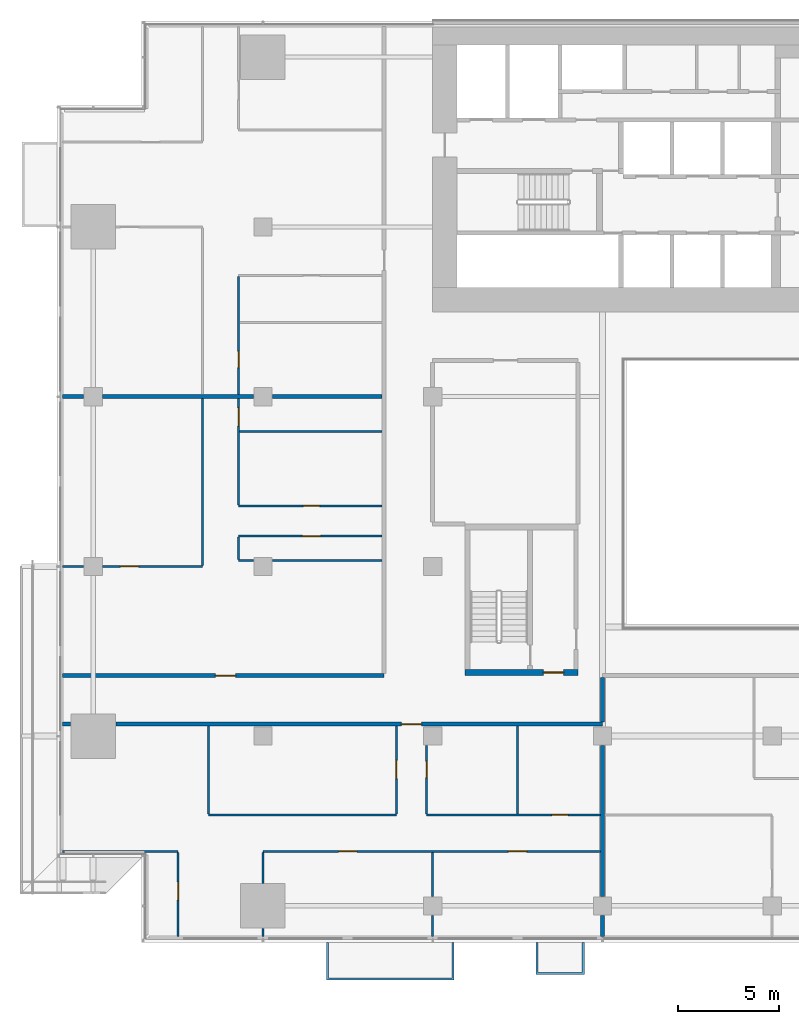
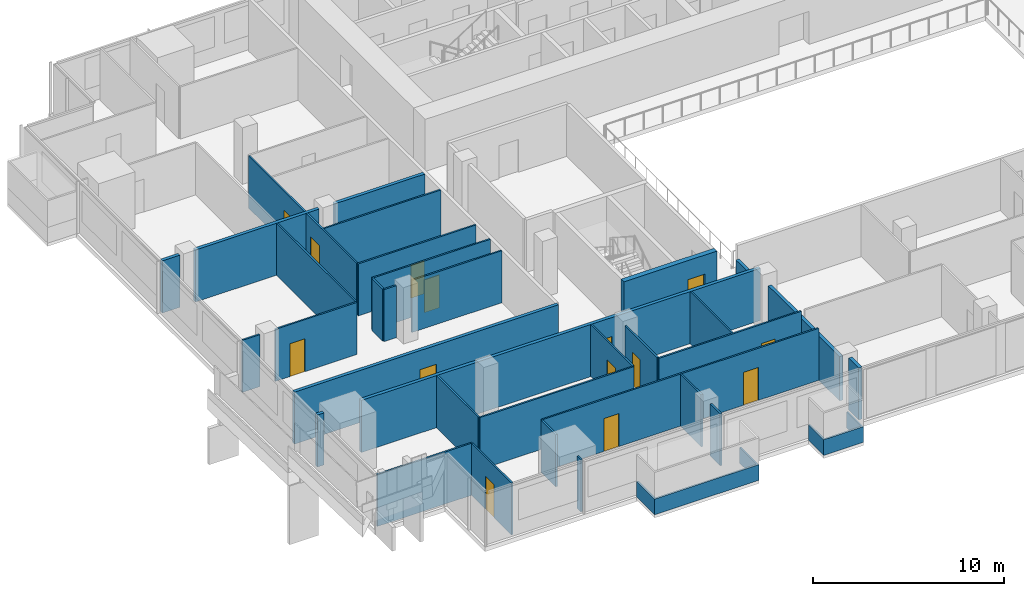
# One storey, part 18 of 29: 36 walls, 14 doors, 14 openings.
"""IFC4 building model written with IfcOpenShell, lengths in metres."""

import ifcopenshell
import ifcopenshell.guid

model = None  # the IFC model being written
_history = None  # IfcOwnerHistory: only IFC2X3 demands one
_inside = {}  # id of a spatial element -> (the spatial element, [elements in it])
_under = {}  # id of a project, library or spatial element -> (it, [spatial elements below it])
_declared = {}  # id of a project -> (the project, [libraries it declares])
_typed = {}  # id of a type object -> (the type object, [elements of that type])
_made_of = {}  # id of a material, layer set ... -> (it, [elements and type objects made of it])


def new_model(schema):
    """Start an empty IFC model of exactly this schema.

    Asked for "IFC4X3", IfcOpenShell would pick the latest addendum, in which some entities
    have other attributes; the version numbers below select the first issue.
    IFC2X3 requires an IfcOwnerHistory on every rooted entity: one is made here for all.
    """
    global model, _history
    if schema == "IFC4X3":
        model = ifcopenshell.file(schema_version=(4, 3, 0, 0))
    else:
        model = ifcopenshell.file(schema=schema)
    _inside.clear()
    _under.clear()
    _declared.clear()
    _typed.clear()
    _made_of.clear()
    _history = None
    if model.schema == "IFC2X3":
        org = make("IfcOrganization", Name="unknown")
        user = make(
            "IfcPersonAndOrganization",
            ThePerson=make("IfcPerson", FamilyName="unknown"),
            TheOrganization=org,
        )
        app = make(
            "IfcApplication",
            ApplicationDeveloper=org,
            Version="unknown",
            ApplicationFullName="unknown",
            ApplicationIdentifier="unknown",
        )
        _history = make(
            "IfcOwnerHistory",
            OwningUser=user,
            OwningApplication=app,
            ChangeAction="ADDED",
            CreationDate=0,
        )
    return model


def make(cls, **values):
    """One entity of the class cls with the attributes given. An attribute that is None is left unset."""
    return model.create_entity(
        cls, **{name: value for name, value in values.items() if value is not None}
    )


def rooted(cls, **values):
    """An entity with a GlobalId (a new one), such as an element, a storey or a relation."""
    return make(cls, GlobalId=ifcopenshell.guid.new(), OwnerHistory=_history, **values)


def si_unit(unit_type, name, prefix=None):
    """IfcSIUnit, for example si_unit("LENGTHUNIT", "METRE", prefix="MILLI")."""
    return make("IfcSIUnit", UnitType=unit_type, Prefix=prefix, Name=name)


def assignment(units):
    """IfcUnitAssignment: the units of a project."""
    return None if units is None else make("IfcUnitAssignment", Units=units)


def point(xyz):
    """IfcCartesianPoint."""
    return None if xyz is None else make("IfcCartesianPoint", Coordinates=xyz)


def direction(xyz):
    """IfcDirection."""
    return None if xyz is None else make("IfcDirection", DirectionRatios=xyz)


def frame(location, z_axis=None, x_axis=None):
    """IfcAxis2Placement3D, a coordinate frame: its origin and axes. An axis left out is left unset."""
    return make(
        "IfcAxis2Placement3D",
        Location=point(location),
        Axis=direction(z_axis),
        RefDirection=direction(x_axis),
    )


def frame_2d(location, x_axis=None):
    """IfcAxis2Placement2D, a coordinate frame in the plane: its origin and x axis."""
    return make(
        "IfcAxis2Placement2D", Location=point(location), RefDirection=direction(x_axis)
    )


def origin():
    """The frame at (0, 0, 0) with its axes left unset."""
    return frame((0.0, 0.0, 0.0))


def place(relative_to, where):
    """IfcLocalPlacement: puts the frame where relative to a parent placement (None: the world)."""
    return make(
        "IfcLocalPlacement", PlacementRelTo=relative_to, RelativePlacement=where
    )


def context(
    kind, dimensions, precision=None, world=None, true_north=None, identifier=None
):
    """IfcGeometricRepresentationContext, for example the 3D "Model" context."""
    return make(
        "IfcGeometricRepresentationContext",
        ContextIdentifier=identifier,
        ContextType=kind,
        CoordinateSpaceDimension=dimensions,
        Precision=precision,
        WorldCoordinateSystem=world,
        TrueNorth=true_north,
    )


def subcontext(parent, identifier, kind, view, scale=None):
    """IfcGeometricRepresentationSubContext, for example "Body" below "Model"."""
    return make(
        "IfcGeometricRepresentationSubContext",
        ContextIdentifier=identifier,
        ContextType=kind,
        ParentContext=parent,
        TargetScale=scale,
        TargetView=view,
    )


def project(units=None, contexts=None):
    """IfcProject with its units and contexts."""
    return rooted(
        "IfcProject",
        Name="project",
        RepresentationContexts=contexts,
        UnitsInContext=assignment(units),
    )


def spatial(cls, under=None, at=None, **own):
    """A site, building, storey or space (cls), placed at a placement, below another one or the project."""
    s = rooted(cls, ObjectPlacement=at, **own)
    if under is not None:
        _under.setdefault(under.id(), (under, []))[1].append(s)
    return s


def polyline(points):
    """IfcPolyline through the points."""
    return make("IfcPolyline", Points=[point(p) for p in points])


def profile(cls, at=None, kind="AREA", **sizes):
    """A parametric profile (cls). Its sizes go by their IFC names, for example OverallWidth=200.0."""
    return make(cls, ProfileType=kind, Position=at, **sizes)


def rectangle(**sizes):
    """IfcRectangleProfileDef."""
    return profile("IfcRectangleProfileDef", **sizes)


def outline(outer, holes=None, kind="AREA"):
    """IfcArbitraryClosedProfileDef: a profile drawn as a closed curve; with holes, ...WithVoids."""
    if holes is None:
        return make("IfcArbitraryClosedProfileDef", ProfileType=kind, OuterCurve=outer)
    return make(
        "IfcArbitraryProfileDefWithVoids",
        ProfileType=kind,
        OuterCurve=outer,
        InnerCurves=holes,
    )


def extrude(swept, where, along, depth):
    """IfcExtrudedAreaSolid: the profile swept, set in the frame where, extruded along a direction by depth."""
    return make(
        "IfcExtrudedAreaSolid",
        SweptArea=swept,
        Position=where,
        ExtrudedDirection=direction(along),
        Depth=depth,
    )


def shape(context_of_items, identifier, shape_type, items):
    """IfcShapeRepresentation: the items that make up one representation, for example the "Body"."""
    return make(
        "IfcShapeRepresentation",
        ContextOfItems=context_of_items,
        RepresentationIdentifier=identifier,
        RepresentationType=shape_type,
        Items=items,
    )


def material(Name=None, Category=None):
    """IfcMaterial."""
    return make("IfcMaterial", Name=Name, Category=Category)


def layer(
    of_material, thickness, ventilated=None, Name=None, Category=None, Priority=None
):
    """IfcMaterialLayer: one layer of a wall or slab, of a material (None: an air gap)."""
    return make(
        "IfcMaterialLayer",
        Material=of_material,
        LayerThickness=thickness,
        IsVentilated=ventilated,
        Name=Name,
        Category=Category,
        Priority=Priority,
    )


def layer_set(layers, Name=None):
    """IfcMaterialLayerSet."""
    return make("IfcMaterialLayerSet", MaterialLayers=layers, LayerSetName=Name)


def made_of(thing, what):
    """Note that an element or type object is made of a material, layer set ...; save() writes the relation."""
    if what is not None:
        _made_of.setdefault(what.id(), (what, []))[1].append(thing)
    return thing


def type_object(cls, material=None, **own):
    """A type object (cls), such as IfcWallType, which elements share."""
    return made_of(rooted(cls, **own), material)


def element(
    cls,
    number,
    at=None,
    inside=None,
    cuts=None,
    type_object=None,
    material=None,
    context=None,
    identifier="Body",
    shape_type=None,
    held_by="IfcProductDefinitionShape",
    body=None,
    shapes=None,
    **own,
):
    """One element of the class cls, such as IfcWall. Its Tag is "e" and its number.

    at: its placement. inside: the storey or other place that contains it. cuts: it is an
    opening in that element (IfcRelVoidsElement). A single representation is given by context,
    identifier, shape_type and body (its items); several are given by shapes. held_by: the class
    of the entity that holds the representations. save() writes the other relations.
    """
    e = rooted(cls, Tag="e%d" % number, ObjectPlacement=at, **own)
    if body is not None:
        shapes = [shape(context, identifier, shape_type, body)]
    if shapes is not None:
        e.Representation = make(held_by, Representations=shapes)
    if inside is not None:
        _inside.setdefault(inside.id(), (inside, []))[1].append(e)
    if cuts is not None:
        rooted(
            "IfcRelVoidsElement", RelatingBuildingElement=cuts, RelatedOpeningElement=e
        )
    if type_object is not None:
        _typed.setdefault(type_object.id(), (type_object, []))[1].append(e)
    return made_of(e, material)


def fill(opening, filler):
    """IfcRelFillsElement: the door or window that sits in an opening."""
    return rooted(
        "IfcRelFillsElement",
        RelatingOpeningElement=opening,
        RelatedBuildingElement=filler,
    )


def aggregate(whole, parts):
    """IfcRelAggregates: a whole, such as a stair, and the parts it consists of."""
    return rooted("IfcRelAggregates", RelatingObject=whole, RelatedObjects=parts)


def save(model, path):
    """Write the relations noted so far, then the file.

    IfcRelAggregates (storeys below a building ...), IfcRelContainedInSpatialStructure (elements
    in a storey), IfcRelDefinesByType, IfcRelAssociatesMaterial and IfcRelDeclares: one each for
    every whole, place, type object, material and project.
    """
    for whole, parts in _under.values():
        aggregate(whole, parts)
    for where, things in _inside.values():
        rooted(
            "IfcRelContainedInSpatialStructure",
            RelatedElements=things,
            RelatingStructure=where,
        )
    for kind, things in _typed.values():
        rooted("IfcRelDefinesByType", RelatedObjects=things, RelatingType=kind)
    for what, things in _made_of.values():
        rooted("IfcRelAssociatesMaterial", RelatedObjects=things, RelatingMaterial=what)
    for by, libraries in _declared.values():
        rooted("IfcRelDeclares", RelatingContext=by, RelatedDefinitions=libraries)
    model.write(path)


model = new_model("IFC4")

# Units and contexts
model_context = context("Model", 3, precision=1e-05, world=origin(), true_north=direction((0.0, 1.0)))
body_context = subcontext(model_context, "Body", "Model", "MODEL_VIEW")
ifc_project = project(units=[si_unit("LENGTHUNIT", "METRE"), si_unit("AREAUNIT", "SQUARE_METRE"), si_unit("VOLUMEUNIT", "CUBIC_METRE"), si_unit("PLANEANGLEUNIT", "RADIAN"), si_unit("MASSUNIT", "GRAM", prefix="KILO")], contexts=[model_context])

# Site, building, storey
site_placement = place(None, origin())
site = spatial("IfcSite", under=ifc_project, at=site_placement, CompositionType="ELEMENT")
building_placement = place(site_placement, origin())
building = spatial("IfcBuilding", under=site, at=building_placement, Name="Saffron Gate Tower", CompositionType="ELEMENT")
storey_placement = place(building_placement, frame((0.0, 0.0, 55.199951171875)))
storey = spatial("IfcBuildingStorey", under=building, at=storey_placement, Name="L12", CompositionType="ELEMENT", Elevation=55.199951171875)

# Wall, opening, door
ifc_material_1 = material(Name="Concrete C70", Category="concrete")
ifc_layer_1 = layer(ifc_material_1, 0.300048828125)
ifc_layer_set_1 = layer_set([ifc_layer_1], Name="CW5 RC core wall 300 C70")
wall_type_1 = type_object("IfcWallType", Name="CW5 RC core wall 300 C70", PredefinedType="SOLIDWALL", material=ifc_layer_set_1)
wall_1_placement = place(storey_placement, frame((68.199951171875, 43.35009765625, 0.0), z_axis=(0.0, 0.0, 1.0), x_axis=(1.0, 0.0, 0.0)))
wall_1 = element("IfcWall", 1, at=wall_1_placement, inside=storey, type_object=wall_type_1, Name="Wall CW5-L12-D-1", PredefinedType="SOLIDWALL", context=body_context, shape_type="SweptSolid", body=[
    extrude(rectangle(XDim=5.60009765625, YDim=0.300048828125, at=frame_2d((2.800048828125, 0.0))), origin(), (0.0, 0.0, 1.0), 3.320068359375),
])
opening_1_placement = place(wall_1_placement, frame((3.875, 0.0, 0.0)))
opening_1 = element("IfcOpeningElement", 2, at=opening_1_placement, cuts=wall_1, Name="Opening CR-18", PredefinedType="OPENING", context=body_context, shape_type="SweptSolid", body=[
    extrude(rectangle(XDim=1.0, YDim=2.10009765625, at=frame_2d((0.5, 1.050048828125))), frame((0.0, 0.16015625, 0.0), z_axis=(0.0, -1.0, 0.0), x_axis=(1.0, 0.0, 0.0)), (0.0, 0.0, 1.0), 0.320068359375),
])
ifc_material_2 = material(Name="Steel fire door set", Category="steel")
door_type_1 = type_object("IfcDoorType", Name="CD4 Lobby door 1000x2100 EI 120", OperationType="NOTDEFINED", PredefinedType="DOOR", material=ifc_material_2)
door_1_placement = place(opening_1_placement, origin())
door_1 = element("IfcDoor", 3, at=door_1_placement, inside=storey, type_object=door_type_1, Name="DOOR CR-18", OperationType="SINGLE_SWING_RIGHT", OverallHeight=2.10009765625, OverallWidth=1.0, PredefinedType="DOOR", context=body_context, shape_type="SweptSolid", body=[
    extrude(rectangle(XDim=1.0, YDim=2.10009765625, at=frame_2d((0.5, 1.050048828125))), frame((0.0, 0.02490234375, 0.0), z_axis=(0.0, -1.0, 0.0), x_axis=(1.0, 0.0, 0.0)), (0.0, 0.0, 1.0), 0.050048828125),
])
fill(opening_1, door_1)

# Wall
ifc_material_3 = material(Name="Plasterboard on steel studs", Category="steel")
ifc_layer_2 = layer(ifc_material_3, 0.10009765625)
ifc_layer_set_2 = layer_set([ifc_layer_2], Name="PW1 Partition 100")
wall_type_2 = type_object("IfcWallType", Name="PW1 Partition 100", PredefinedType="PARTITIONING", material=ifc_layer_set_2)
wall_2_placement = place(storey_placement, frame((48.280029296875, 34.5, 0.0), z_axis=(0.0, 0.0, 1.0), x_axis=(1.0, 0.0, 0.0)))
element("IfcWall", 4, at=wall_2_placement, inside=storey, type_object=wall_type_2, Name="Partition A2-1", PredefinedType="PARTITIONING", context=body_context, shape_type="SweptSolid", body=[
    extrude(rectangle(XDim=5.719970703125, YDim=0.10009765625, at=frame_2d((2.85986328125, 0.0))), origin(), (0.0, 0.0, 1.0), 3.320068359375),
])

# Wall, openings, doors
wall_3_placement = place(storey_placement, frame((74.89990234375, 34.5, 0.0), z_axis=(0.0, 0.0, 1.0), x_axis=(-1.0, 0.0, 0.0)))
wall_3 = element("IfcWall", 5, at=wall_3_placement, inside=storey, type_object=wall_type_2, Name="Partition A2-2", PredefinedType="PARTITIONING", context=body_context, shape_type="SweptSolid", body=[
    extrude(rectangle(XDim=16.699951171875, YDim=0.10009765625, at=frame_2d((8.35009765625, 0.0))), origin(), (0.0, 0.0, 1.0), 3.320068359375),
])
opening_2_placement = place(wall_3_placement, frame((3.64990234375, 0.0, 0.0)))
opening_2 = element("IfcOpeningElement", 6, at=opening_2_placement, cuts=wall_3, Name="Opening A2-10", PredefinedType="OPENING", context=body_context, shape_type="SweptSolid", body=[
    extrude(rectangle(XDim=0.89990234375, YDim=2.10009765625, at=frame_2d((0.449951171875, 1.050048828125))), frame((0.0, 0.06005859375, 0.0), z_axis=(0.0, -1.0, 0.0), x_axis=(1.0, 0.0, 0.0)), (0.0, 0.0, 1.0), 0.1201171875),
])
opening_3_placement = place(wall_3_placement, frame((12.050048828125, 0.0, 0.0)))
opening_3 = element("IfcOpeningElement", 7, at=opening_3_placement, cuts=wall_3, Name="Opening A2-9", PredefinedType="OPENING", context=body_context, shape_type="SweptSolid", body=[
    extrude(rectangle(XDim=0.89990234375, YDim=2.10009765625, at=frame_2d((0.449951171875, 1.050048828125))), frame((0.0, 0.06005859375, 0.0), z_axis=(0.0, -1.0, 0.0), x_axis=(1.0, 0.0, 0.0)), (0.0, 0.0, 1.0), 0.1201171875),
])
ifc_material_4 = material(Name="Timber door set", Category="wood")
door_type_2 = type_object("IfcDoorType", Name="RD1 Room door 900x2100", OperationType="NOTDEFINED", PredefinedType="DOOR", material=ifc_material_4)
door_2_placement = place(opening_2_placement, origin())
door_2 = element("IfcDoor", 8, at=door_2_placement, inside=storey, type_object=door_type_2, Name="Door A2-10", OperationType="SINGLE_SWING_LEFT", OverallHeight=2.10009765625, OverallWidth=0.89990234375, PredefinedType="DOOR", context=body_context, shape_type="SweptSolid", body=[
    extrude(rectangle(XDim=0.89990234375, YDim=2.10009765625, at=frame_2d((0.449951171875, 1.050048828125))), frame((0.0, 0.02490234375, 0.0), z_axis=(0.0, -1.0, 0.0), x_axis=(1.0, 0.0, 0.0)), (0.0, 0.0, 1.0), 0.050048828125),
])
fill(opening_2, door_2)
door_3_placement = place(opening_3_placement, origin())
door_3 = element("IfcDoor", 9, at=door_3_placement, inside=storey, type_object=door_type_2, Name="Door A2-9", OperationType="SINGLE_SWING_RIGHT", OverallHeight=2.10009765625, OverallWidth=0.89990234375, PredefinedType="DOOR", context=body_context, shape_type="SweptSolid", body=[
    extrude(rectangle(XDim=0.89990234375, YDim=2.10009765625, at=frame_2d((0.449951171875, 1.050048828125))), frame((0.0, 0.02490234375, 0.0), z_axis=(0.0, -1.0, 0.0), x_axis=(1.0, 0.0, 0.0)), (0.0, 0.0, 1.0), 0.050048828125),
])
fill(opening_3, door_3)

# Walls
wall_4_placement = place(storey_placement, frame((55.5, 36.300048828125, 0.0), z_axis=(0.0, 0.0, 1.0), x_axis=(1.0, 0.0, 0.0)))
element("IfcWall", 10, at=wall_4_placement, inside=storey, type_object=wall_type_2, Name="Partition A2-5", PredefinedType="PARTITIONING", context=body_context, shape_type="SweptSolid", body=[
    extrude(rectangle(XDim=9.300048828125, YDim=0.10009765625, at=frame_2d((4.64990234375, 0.0))), origin(), (0.0, 0.0, 1.0), 3.320068359375),
])
wall_5_placement = place(storey_placement, frame((48.280029296875, 48.60009765625, 0.0), z_axis=(0.0, 0.0, 1.0), x_axis=(1.0, 0.0, 0.0)))
element("IfcWall", 11, at=wall_5_placement, inside=storey, type_object=wall_type_2, Name="Partition A2-17", PredefinedType="PARTITIONING", context=body_context, shape_type="SweptSolid", body=[
    extrude(rectangle(XDim=1.050048828125, YDim=0.10009765625, at=frame_2d((0.52490234375, 0.0))), origin(), (0.0, 0.0, 1.0), 3.320068359375),
])

# Wall, opening, door
wall_6_placement = place(storey_placement, frame((50.27001953125, 48.60009765625, 0.0), z_axis=(0.0, 0.0, 1.0), x_axis=(1.0, 0.0, 0.0)))
wall_6 = element("IfcWall", 12, at=wall_6_placement, inside=storey, type_object=wall_type_2, Name="Partition A2-18", PredefinedType="PARTITIONING", context=body_context, shape_type="SweptSolid", body=[
    extrude(rectangle(XDim=4.929931640625, YDim=0.10009765625, at=frame_2d((2.46484375, 0.0))), origin(), (0.0, 0.0, 1.0), 3.320068359375),
])
opening_4_placement = place(wall_6_placement, frame((0.8798828125, 0.0, 0.0)))
opening_4 = element("IfcOpeningElement", 13, at=opening_4_placement, cuts=wall_6, Name="Opening A2-21", PredefinedType="OPENING", context=body_context, shape_type="SweptSolid", body=[
    extrude(rectangle(XDim=0.89990234375, YDim=2.10009765625, at=frame_2d((0.449951171875, 1.050048828125))), frame((0.0, 0.06005859375, 0.0), z_axis=(0.0, -1.0, 0.0), x_axis=(1.0, 0.0, 0.0)), (0.0, 0.0, 1.0), 0.1201171875),
])
door_4_placement = place(opening_4_placement, origin())
door_4 = element("IfcDoor", 14, at=door_4_placement, inside=storey, type_object=door_type_2, Name="Door A2-21", OperationType="SINGLE_SWING_LEFT", OverallHeight=2.10009765625, OverallWidth=0.89990234375, PredefinedType="DOOR", context=body_context, shape_type="SweptSolid", body=[
    extrude(rectangle(XDim=0.89990234375, YDim=2.10009765625, at=frame_2d((0.449951171875, 1.050048828125))), frame((0.0, 0.02490234375, 0.0), z_axis=(0.0, -1.0, 0.0), x_axis=(1.0, 0.0, 0.0)), (0.0, 0.0, 1.0), 0.050048828125),
])
fill(opening_4, door_4)

# Walls
wall_7_placement = place(storey_placement, frame((57.0, 48.894287109375, 0.0), z_axis=(0.0, 0.0, 1.0), x_axis=(1.0, 0.0, 0.0)))
element("IfcWall", 15, at=wall_7_placement, inside=storey, type_object=wall_type_2, Name="Partition A2-21", PredefinedType="PARTITIONING", context=body_context, shape_type="SweptSolid", body=[
    extrude(rectangle(XDim=0.72998046875, YDim=0.10009765625, at=frame_2d((0.364990234375, 0.0))), origin(), (0.0, 0.0, 1.0), 3.320068359375),
])
wall_8_placement = place(storey_placement, frame((58.669921875, 48.894287109375, 0.0), z_axis=(0.0, 0.0, 1.0), x_axis=(1.0, 0.0, 0.0)))
element("IfcWall", 16, at=wall_8_placement, inside=storey, type_object=wall_type_2, Name="Partition A2-22", PredefinedType="PARTITIONING", context=body_context, shape_type="SweptSolid", body=[
    extrude(rectangle(XDim=5.43017578125, YDim=0.10009765625, at=frame_2d((2.715087890625, 0.0))), origin(), (0.0, 0.0, 1.0), 3.320068359375),
])

# Wall, opening, door
wall_9_placement = place(storey_placement, frame((64.10009765625, 50.10009765625, 0.0), z_axis=(0.0, 0.0, 1.0), x_axis=(-1.0, 0.0, 0.0)))
wall_9 = element("IfcWall", 17, at=wall_9_placement, inside=storey, type_object=wall_type_2, Name="Partition A2-23", PredefinedType="PARTITIONING", context=body_context, shape_type="SweptSolid", body=[
    extrude(rectangle(XDim=7.10009765625, YDim=0.10009765625, at=frame_2d((3.550048828125, 0.0))), origin(), (0.0, 0.0, 1.0), 3.320068359375),
])
opening_5_placement = place(wall_9_placement, frame((3.050048828125, 0.0, 0.0)))
opening_5 = element("IfcOpeningElement", 18, at=opening_5_placement, cuts=wall_9, Name="Opening A2-22", PredefinedType="OPENING", context=body_context, shape_type="SweptSolid", body=[
    extrude(rectangle(XDim=0.89990234375, YDim=2.10009765625, at=frame_2d((0.449951171875, 1.050048828125))), frame((0.0, 0.06005859375, 0.0), z_axis=(0.0, -1.0, 0.0), x_axis=(1.0, 0.0, 0.0)), (0.0, 0.0, 1.0), 0.1201171875),
])
door_5_placement = place(opening_5_placement, origin())
door_5 = element("IfcDoor", 19, at=door_5_placement, inside=storey, type_object=door_type_2, Name="Door A2-22", OperationType="SINGLE_SWING_LEFT", OverallHeight=2.10009765625, OverallWidth=0.89990234375, PredefinedType="DOOR", context=body_context, shape_type="SweptSolid", body=[
    extrude(rectangle(XDim=0.89990234375, YDim=2.10009765625, at=frame_2d((0.449951171875, 1.050048828125))), frame((0.0, 0.02490234375, 0.0), z_axis=(0.0, -1.0, 0.0), x_axis=(1.0, 0.0, 0.0)), (0.0, 0.0, 1.0), 0.050048828125),
])
fill(opening_5, door_5)

wall_10_placement = place(storey_placement, frame((57.0, 51.60009765625, 0.0), z_axis=(0.0, 0.0, 1.0), x_axis=(1.0, 0.0, 0.0)))
wall_10 = element("IfcWall", 20, at=wall_10_placement, inside=storey, type_object=wall_type_2, Name="Partition A2-26", PredefinedType="PARTITIONING", context=body_context, shape_type="SweptSolid", body=[
    extrude(rectangle(XDim=7.10009765625, YDim=0.10009765625, at=frame_2d((3.550048828125, 0.0))), origin(), (0.0, 0.0, 1.0), 3.320068359375),
])
opening_6_placement = place(wall_10_placement, frame((3.199951171875, 0.0, 0.0)))
opening_6 = element("IfcOpeningElement", 21, at=opening_6_placement, cuts=wall_10, Name="Opening A2-39", PredefinedType="OPENING", context=body_context, shape_type="SweptSolid", body=[
    extrude(rectangle(XDim=0.800048828125, YDim=2.10009765625, at=frame_2d((0.39990234375, 1.050048828125))), frame((0.0, 0.06005859375, 0.0), z_axis=(0.0, -1.0, 0.0), x_axis=(1.0, 0.0, 0.0)), (0.0, 0.0, 1.0), 0.1201171875),
])
door_type_3 = type_object("IfcDoorType", Name="RD2 Bathroom door 800x2100", OperationType="NOTDEFINED", PredefinedType="DOOR", material=ifc_material_4)
door_6_placement = place(opening_6_placement, origin())
door_6 = element("IfcDoor", 22, at=door_6_placement, inside=storey, type_object=door_type_3, Name="Door A2-39", OperationType="SINGLE_SWING_RIGHT", OverallHeight=2.10009765625, OverallWidth=0.800048828125, PredefinedType="DOOR", context=body_context, shape_type="SweptSolid", body=[
    extrude(rectangle(XDim=0.800048828125, YDim=2.10009765625, at=frame_2d((0.39990234375, 1.050048828125))), frame((0.0, 0.02490234375, 0.0), z_axis=(0.0, -1.0, 0.0), x_axis=(1.0, 0.0, 0.0)), (0.0, 0.0, 1.0), 0.050048828125),
])
fill(opening_6, door_6)

# Wall
wall_11_placement = place(storey_placement, frame((57.050048828125, 55.280517578125, 0.0), z_axis=(0.0, 0.0, 1.0), x_axis=(1.0, 0.0, 0.0)))
element("IfcWall", 23, at=wall_11_placement, inside=storey, type_object=wall_type_2, Name="Partition A2-28", PredefinedType="PARTITIONING", context=body_context, shape_type="SweptSolid", body=[
    extrude(rectangle(XDim=7.050048828125, YDim=0.10009765625, at=frame_2d((3.52490234375, 0.0))), origin(), (0.0, 0.0, 1.0), 3.320068359375),
])

# Wall, opening, door
wall_12_placement = place(storey_placement, frame((54.0, 30.280029296875, 0.0), z_axis=(0.0, 0.0, 1.0), x_axis=(0.0, 1.0, 0.0)))
wall_12 = element("IfcWall", 24, at=wall_12_placement, inside=storey, type_object=wall_type_2, Name="Partition A2-52", PredefinedType="PARTITIONING", context=body_context, shape_type="SweptSolid", body=[
    extrude(rectangle(XDim=4.169921875, YDim=0.10009765625, at=frame_2d((2.0849609375, 0.0))), origin(), (0.0, 0.0, 1.0), 3.320068359375),
])
opening_7_placement = place(wall_12_placement, frame((1.802734375, 0.0, 0.0)))
opening_7 = element("IfcOpeningElement", 25, at=opening_7_placement, cuts=wall_12, Name="Opening A2-8", PredefinedType="OPENING", context=body_context, shape_type="SweptSolid", body=[
    extrude(rectangle(XDim=0.89990234375, YDim=2.10009765625, at=frame_2d((0.449951171875, 1.050048828125))), frame((0.0, 0.06005859375, 0.0), z_axis=(0.0, -1.0, 0.0), x_axis=(1.0, 0.0, 0.0)), (0.0, 0.0, 1.0), 0.1201171875),
])
door_7_placement = place(opening_7_placement, origin())
door_7 = element("IfcDoor", 26, at=door_7_placement, inside=storey, type_object=door_type_2, Name="Door A2-8", OperationType="SINGLE_SWING_RIGHT", OverallHeight=2.10009765625, OverallWidth=0.89990234375, PredefinedType="DOOR", context=body_context, shape_type="SweptSolid", body=[
    extrude(rectangle(XDim=0.89990234375, YDim=2.10009765625, at=frame_2d((0.449951171875, 1.050048828125))), frame((0.0, 0.02490234375, 0.0), z_axis=(0.0, -1.0, 0.0), x_axis=(1.0, 0.0, 0.0)), (0.0, 0.0, 1.0), 0.050048828125),
])
fill(opening_7, door_7)

# Walls
wall_13_placement = place(storey_placement, frame((55.5, 40.699951171875, 0.0), z_axis=(0.0, 0.0, 1.0), x_axis=(0.0, -1.0, 0.0)))
element("IfcWall", 27, at=wall_13_placement, inside=storey, type_object=wall_type_2, Name="Partition A2-54", PredefinedType="PARTITIONING", context=body_context, shape_type="SweptSolid", body=[
    extrude(rectangle(XDim=4.349853515625, YDim=0.10009765625, at=frame_2d((2.1748046875, 0.0))), origin(), (0.0, 0.0, 1.0), 3.320068359375),
])
wall_14_placement = place(storey_placement, frame((57.0, 50.050048828125, 0.0), z_axis=(0.0, 0.0, 1.0), x_axis=(0.0, -1.0, 0.0)))
element("IfcWall", 28, at=wall_14_placement, inside=storey, type_object=wall_type_2, Name="Partition A2-55", PredefinedType="PARTITIONING", context=body_context, shape_type="SweptSolid", body=[
    extrude(rectangle(XDim=1.105712890625, YDim=0.10009765625, at=frame_2d((0.552734375, 0.0))), origin(), (0.0, 0.0, 1.0), 3.320068359375),
])
wall_15_placement = place(storey_placement, frame((58.199951171875, 30.679931640625, 0.0), z_axis=(0.0, 0.0, 1.0), x_axis=(0.0, -1.0, 0.0)))
element("IfcWall", 29, at=wall_15_placement, inside=storey, type_object=wall_type_2, Name="Partition A2-57", PredefinedType="PARTITIONING", context=body_context, shape_type="SweptSolid", body=[
    extrude(rectangle(XDim=0.39990234375, YDim=0.10009765625, at=frame_2d((0.199951171875, 0.0))), origin(), (0.0, 0.0, 1.0), 3.320068359375),
])
wall_16_placement = place(storey_placement, frame((58.199951171875, 34.449951171875, 0.0), z_axis=(0.0, 0.0, 1.0), x_axis=(0.0, -1.0, 0.0)))
element("IfcWall", 30, at=wall_16_placement, inside=storey, type_object=wall_type_2, Name="Partition A2-58", PredefinedType="PARTITIONING", context=body_context, shape_type="SweptSolid", body=[
    extrude(rectangle(XDim=1.530029296875, YDim=0.10009765625, at=frame_2d((0.76513671875, 0.0))), origin(), (0.0, 0.0, 1.0), 3.320068359375),
])

# Wall, opening, door
wall_17_placement = place(storey_placement, frame((64.800048828125, 36.35009765625, 0.0), z_axis=(0.0, 0.0, 1.0), x_axis=(0.0, 1.0, 0.0)))
wall_17 = element("IfcWall", 31, at=wall_17_placement, inside=storey, type_object=wall_type_2, Name="Partition A2-60", PredefinedType="PARTITIONING", context=body_context, shape_type="SweptSolid", body=[
    extrude(rectangle(XDim=4.349853515625, YDim=0.10009765625, at=frame_2d((2.1748046875, 0.0))), origin(), (0.0, 0.0, 1.0), 3.320068359375),
])
opening_8_placement = place(wall_17_placement, frame((1.75, 0.0, 0.0)))
opening_8 = element("IfcOpeningElement", 32, at=opening_8_placement, cuts=wall_17, Name="Opening A2-11", PredefinedType="OPENING", context=body_context, shape_type="SweptSolid", body=[
    extrude(rectangle(XDim=0.89990234375, YDim=2.10009765625, at=frame_2d((0.449951171875, 1.050048828125))), frame((0.0, 0.06005859375, 0.0), z_axis=(0.0, -1.0, 0.0), x_axis=(1.0, 0.0, 0.0)), (0.0, 0.0, 1.0), 0.1201171875),
])
door_8_placement = place(opening_8_placement, origin())
door_8 = element("IfcDoor", 33, at=door_8_placement, inside=storey, type_object=door_type_2, Name="Door A2-11", OperationType="SINGLE_SWING_RIGHT", OverallHeight=2.10009765625, OverallWidth=0.89990234375, PredefinedType="DOOR", context=body_context, shape_type="SweptSolid", body=[
    extrude(rectangle(XDim=0.89990234375, YDim=2.10009765625, at=frame_2d((0.449951171875, 1.050048828125))), frame((0.0, 0.02490234375, 0.0), z_axis=(0.0, -1.0, 0.0), x_axis=(1.0, 0.0, 0.0)), (0.0, 0.0, 1.0), 0.050048828125),
])
fill(opening_8, door_8)

wall_18_placement = place(storey_placement, frame((66.300048828125, 39.72998046875, 0.0), z_axis=(0.0, 0.0, 1.0), x_axis=(0.0, -1.0, 0.0)))
wall_18 = element("IfcWall", 34, at=wall_18_placement, inside=storey, type_object=wall_type_2, Name="Partition A2-61", PredefinedType="PARTITIONING", context=body_context, shape_type="SweptSolid", body=[
    extrude(rectangle(XDim=3.3798828125, YDim=0.10009765625, at=frame_2d((1.68994140625, 0.0))), origin(), (0.0, 0.0, 1.0), 3.320068359375),
])
opening_9_placement = place(wall_18_placement, frame((0.780029296875, 0.0, 0.0)))
opening_9 = element("IfcOpeningElement", 35, at=opening_9_placement, cuts=wall_18, Name="Opening A2-33", PredefinedType="OPENING", context=body_context, shape_type="SweptSolid", body=[
    extrude(rectangle(XDim=0.800048828125, YDim=2.10009765625, at=frame_2d((0.39990234375, 1.050048828125))), frame((0.0, 0.06005859375, 0.0), z_axis=(0.0, -1.0, 0.0), x_axis=(1.0, 0.0, 0.0)), (0.0, 0.0, 1.0), 0.1201171875),
])
door_9_placement = place(opening_9_placement, origin())
door_9 = element("IfcDoor", 36, at=door_9_placement, inside=storey, type_object=door_type_3, Name="Door A2-33", OperationType="SINGLE_SWING_LEFT", OverallHeight=2.10009765625, OverallWidth=0.800048828125, PredefinedType="DOOR", context=body_context, shape_type="SweptSolid", body=[
    extrude(rectangle(XDim=0.800048828125, YDim=2.10009765625, at=frame_2d((0.39990234375, 1.050048828125))), frame((0.0, 0.02490234375, 0.0), z_axis=(0.0, -1.0, 0.0), x_axis=(1.0, 0.0, 0.0)), (0.0, 0.0, 1.0), 0.050048828125),
])
fill(opening_9, door_9)

# Walls
wall_19_placement = place(storey_placement, frame((66.60009765625, 31.330078125, 0.0), z_axis=(0.0, 0.0, 1.0), x_axis=(0.0, -1.0, 0.0)))
element("IfcWall", 37, at=wall_19_placement, inside=storey, type_object=wall_type_2, Name="Partition A2-64", PredefinedType="PARTITIONING", context=body_context, shape_type="SweptSolid", body=[
    extrude(rectangle(XDim=1.050048828125, YDim=0.10009765625, at=frame_2d((0.52490234375, 0.0))), origin(), (0.0, 0.0, 1.0), 3.320068359375),
])
wall_20_placement = place(storey_placement, frame((66.60009765625, 34.449951171875, 0.0), z_axis=(0.0, 0.0, 1.0), x_axis=(0.0, -1.0, 0.0)))
element("IfcWall", 38, at=wall_20_placement, inside=storey, type_object=wall_type_2, Name="Partition A2-65", PredefinedType="PARTITIONING", context=body_context, shape_type="SweptSolid", body=[
    extrude(rectangle(XDim=2.179931640625, YDim=0.10009765625, at=frame_2d((1.08984375, 0.0))), origin(), (0.0, 0.0, 1.0), 3.320068359375),
])
wall_21_placement = place(storey_placement, frame((70.800048828125, 40.699951171875, 0.0), z_axis=(0.0, 0.0, 1.0), x_axis=(0.0, -1.0, 0.0)))
element("IfcWall", 39, at=wall_21_placement, inside=storey, type_object=wall_type_2, Name="Partition A2-66", PredefinedType="PARTITIONING", context=body_context, shape_type="SweptSolid", body=[
    extrude(rectangle(XDim=4.349853515625, YDim=0.10009765625, at=frame_2d((2.1748046875, 0.0))), origin(), (0.0, 0.0, 1.0), 3.320068359375),
])

# Wall, opening, door
wall_22_placement = place(storey_placement, frame((66.300048828125, 36.300048828125, 0.0), z_axis=(0.0, 0.0, 1.0), x_axis=(1.0, 0.0, 0.0)))
wall_22 = element("IfcWall", 40, at=wall_22_placement, inside=storey, type_object=wall_type_2, Name="Partition A2-99", PredefinedType="PARTITIONING", context=body_context, shape_type="SweptSolid", body=[
    extrude(rectangle(XDim=8.599853515625, YDim=0.10009765625, at=frame_2d((4.2998046875, 0.0))), origin(), (0.0, 0.0, 1.0), 3.320068359375),
])
opening_10_placement = place(wall_22_placement, frame((6.199951171875, 0.0, 0.0)))
opening_10 = element("IfcOpeningElement", 41, at=opening_10_placement, cuts=wall_22, Name="Opening A2-34", PredefinedType="OPENING", context=body_context, shape_type="SweptSolid", body=[
    extrude(rectangle(XDim=0.800048828125, YDim=2.10009765625, at=frame_2d((0.39990234375, 1.050048828125))), frame((0.0, 0.06005859375, 0.0), z_axis=(0.0, -1.0, 0.0), x_axis=(1.0, 0.0, 0.0)), (0.0, 0.0, 1.0), 0.1201171875),
])
door_10_placement = place(opening_10_placement, origin())
door_10 = element("IfcDoor", 42, at=door_10_placement, inside=storey, type_object=door_type_3, Name="Door A2-34", OperationType="SINGLE_SWING_RIGHT", OverallHeight=2.10009765625, OverallWidth=0.800048828125, PredefinedType="DOOR", context=body_context, shape_type="SweptSolid", body=[
    extrude(rectangle(XDim=0.800048828125, YDim=2.10009765625, at=frame_2d((0.39990234375, 1.050048828125))), frame((0.0, 0.02490234375, 0.0), z_axis=(0.0, -1.0, 0.0), x_axis=(1.0, 0.0, 0.0)), (0.0, 0.0, 1.0), 0.050048828125),
])
fill(opening_10, door_10)

# Wall
wall_23_placement = place(storey_placement, frame((55.199951171875, 56.89990234375, 0.0), z_axis=(0.0, 0.0, 1.0), x_axis=(0.0, -1.0, 0.0)))
element("IfcWall", 43, at=wall_23_placement, inside=storey, type_object=wall_type_2, Name="Partition A2-103", PredefinedType="PARTITIONING", context=body_context, shape_type="SweptSolid", body=[
    extrude(rectangle(XDim=8.25, YDim=0.10009765625, at=frame_2d((4.125, 0.0))), origin(), (0.0, 0.0, 1.0), 3.320068359375),
])

# Wall, opening, door
wall_24_placement = place(storey_placement, frame((57.0, 56.89990234375, 0.0), z_axis=(0.0, 0.0, 1.0), x_axis=(0.0, -1.0, 0.0)))
wall_24 = element("IfcWall", 44, at=wall_24_placement, inside=storey, type_object=wall_type_2, Name="Partition A2-105", PredefinedType="PARTITIONING", context=body_context, shape_type="SweptSolid", body=[
    extrude(rectangle(XDim=5.25, YDim=0.10009765625, at=frame_2d((2.625, 0.0))), origin(), (0.0, 0.0, 1.0), 3.320068359375),
])
opening_11_placement = place(wall_24_placement, frame((0.459716796875, 0.0, 0.0)))
opening_11 = element("IfcOpeningElement", 45, at=opening_11_placement, cuts=wall_24, Name="Opening A2-23", PredefinedType="OPENING", context=body_context, shape_type="SweptSolid", body=[
    extrude(rectangle(XDim=0.89990234375, YDim=2.10009765625, at=frame_2d((0.449951171875, 1.050048828125))), frame((0.0, 0.06005859375, 0.0), z_axis=(0.0, -1.0, 0.0), x_axis=(1.0, 0.0, 0.0)), (0.0, 0.0, 1.0), 0.1201171875),
])
door_11_placement = place(opening_11_placement, origin())
door_11 = element("IfcDoor", 46, at=door_11_placement, inside=storey, type_object=door_type_2, Name="Door A2-23", OperationType="SINGLE_SWING_RIGHT", OverallHeight=2.10009765625, OverallWidth=0.89990234375, PredefinedType="DOOR", context=body_context, shape_type="SweptSolid", body=[
    extrude(rectangle(XDim=0.89990234375, YDim=2.10009765625, at=frame_2d((0.449951171875, 1.050048828125))), frame((0.0, 0.02490234375, 0.0), z_axis=(0.0, -1.0, 0.0), x_axis=(1.0, 0.0, 0.0)), (0.0, 0.0, 1.0), 0.050048828125),
])
fill(opening_11, door_11)

wall_25_placement = place(storey_placement, frame((57.0, 62.949951171875, 0.0), z_axis=(0.0, 0.0, 1.0), x_axis=(0.0, -1.0, 0.0)))
wall_25 = element("IfcWall", 47, at=wall_25_placement, inside=storey, type_object=wall_type_2, Name="Partition A2-106", PredefinedType="PARTITIONING", context=body_context, shape_type="SweptSolid", body=[
    extrude(rectangle(XDim=5.849853515625, YDim=0.10009765625, at=frame_2d((2.9248046875, 0.0))), origin(), (0.0, 0.0, 1.0), 3.320068359375),
])
opening_12_placement = place(wall_25_placement, frame((3.709716796875, 0.0, 0.0)))
opening_12 = element("IfcOpeningElement", 48, at=opening_12_placement, cuts=wall_25, Name="Opening A2-40", PredefinedType="OPENING", context=body_context, shape_type="SweptSolid", body=[
    extrude(rectangle(XDim=0.800048828125, YDim=2.10009765625, at=frame_2d((0.39990234375, 1.050048828125))), frame((0.0, 0.06005859375, 0.0), z_axis=(0.0, -1.0, 0.0), x_axis=(1.0, 0.0, 0.0)), (0.0, 0.0, 1.0), 0.1201171875),
])
door_12_placement = place(opening_12_placement, origin())
door_12 = element("IfcDoor", 49, at=door_12_placement, inside=storey, type_object=door_type_3, Name="Door A2-40", OperationType="SINGLE_SWING_RIGHT", OverallHeight=2.10009765625, OverallWidth=0.800048828125, PredefinedType="DOOR", context=body_context, shape_type="SweptSolid", body=[
    extrude(rectangle(XDim=0.800048828125, YDim=2.10009765625, at=frame_2d((0.39990234375, 1.050048828125))), frame((0.0, 0.02490234375, 0.0), z_axis=(0.0, -1.0, 0.0), x_axis=(1.0, 0.0, 0.0)), (0.0, 0.0, 1.0), 0.050048828125),
])
fill(opening_12, door_12)

# Walls
ifc_material_5 = material(Name="Clay brick masonry, rendered", Category="masonry")
ifc_layer_3 = layer(ifc_material_5, 0.199951171875)
ifc_layer_set_3 = layer_set([ifc_layer_3], Name="PW2 Demising wall 200")
wall_type_3 = type_object("IfcWallType", Name="PW2 Demising wall 200", PredefinedType="PARTITIONING", material=ifc_layer_set_3)
wall_26_placement = place(storey_placement, frame((48.280029296875, 57.0, 0.0), z_axis=(0.0, 0.0, 1.0), x_axis=(1.0, 0.0, 0.0)))
element("IfcWall", 50, at=wall_26_placement, inside=storey, type_object=wall_type_3, Name="Wall A2-32", PredefinedType="PARTITIONING", context=body_context, shape_type="SweptSolid", body=[
    extrude(rectangle(XDim=1.050048828125, YDim=0.199951171875, at=frame_2d((0.52490234375, 0.0))), origin(), (0.0, 0.0, 1.0), 3.320068359375),
])
wall_27_placement = place(storey_placement, frame((50.27001953125, 57.0, 0.0), z_axis=(0.0, 0.0, 1.0), x_axis=(1.0, 0.0, 0.0)))
element("IfcWall", 51, at=wall_27_placement, inside=storey, type_object=wall_type_3, Name="Wall A2-33", PredefinedType="PARTITIONING", context=body_context, shape_type="SweptSolid", body=[
    extrude(rectangle(XDim=7.4599609375, YDim=0.199951171875, at=frame_2d((3.72998046875, 0.0))), origin(), (0.0, 0.0, 1.0), 3.320068359375),
])
wall_28_placement = place(storey_placement, frame((58.669921875, 57.0, 0.0), z_axis=(0.0, 0.0, 1.0), x_axis=(1.0, 0.0, 0.0)))
element("IfcWall", 52, at=wall_28_placement, inside=storey, type_object=wall_type_3, Name="Wall A2-34", PredefinedType="PARTITIONING", context=body_context, shape_type="SweptSolid", body=[
    extrude(rectangle(XDim=5.43017578125, YDim=0.199951171875, at=frame_2d((2.715087890625, 0.0))), origin(), (0.0, 0.0, 1.0), 3.320068359375),
])
wall_29_placement = place(storey_placement, frame((75.0, 31.330078125, 0.0), z_axis=(0.0, 0.0, 1.0), x_axis=(0.0, -1.0, 0.0)))
element("IfcWall", 53, at=wall_29_placement, inside=storey, type_object=wall_type_3, Name="Wall A2-69", PredefinedType="PARTITIONING", context=body_context, shape_type="SweptSolid", body=[
    extrude(rectangle(XDim=1.050048828125, YDim=0.199951171875, at=frame_2d((0.52490234375, 0.0))), origin(), (0.0, 0.0, 1.0), 3.320068359375),
])
wall_30_placement = place(storey_placement, frame((75.0, 39.72998046875, 0.0), z_axis=(0.0, 0.0, 1.0), x_axis=(0.0, -1.0, 0.0)))
element("IfcWall", 54, at=wall_30_placement, inside=storey, type_object=wall_type_3, Name="Wall A2-70", PredefinedType="PARTITIONING", context=body_context, shape_type="SweptSolid", body=[
    extrude(rectangle(XDim=7.4599609375, YDim=0.199951171875, at=frame_2d((3.72998046875, 0.0))), origin(), (0.0, 0.0, 1.0), 2.830078125),
])
ifc_layer_4 = layer(ifc_material_5, 0.199951171875)
ifc_layer_set_4 = layer_set([ifc_layer_4], Name="PW3 Corridor wall 200")
wall_type_4 = type_object("IfcWallType", Name="PW3 Corridor wall 200", PredefinedType="PARTITIONING", material=ifc_layer_set_4)
wall_31_placement = place(storey_placement, frame((48.280029296875, 40.800048828125, 0.0), z_axis=(0.0, 0.0, 1.0), x_axis=(1.0, 0.0, 0.0)))
element("IfcWall", 55, at=wall_31_placement, inside=storey, type_object=wall_type_4, Name="Wall A2-9", PredefinedType="PARTITIONING", context=body_context, shape_type="SweptSolid", body=[
    extrude(rectangle(XDim=0.39990234375, YDim=0.199951171875, at=frame_2d((0.199951171875, 0.0))), origin(), (0.0, 0.0, 1.0), 3.320068359375),
])

# Wall, opening, door
wall_32_placement = place(storey_placement, frame((75.0, 40.800048828125, 0.0), z_axis=(0.0, 0.0, 1.0), x_axis=(-1.0, 0.0, 0.0)))
wall_32 = element("IfcWall", 56, at=wall_32_placement, inside=storey, type_object=wall_type_4, Name="Wall A2-10", PredefinedType="PARTITIONING", context=body_context, shape_type="SweptSolid", body=[
    extrude(rectangle(XDim=24.080078125, YDim=0.199951171875, at=frame_2d((12.0400390625, 0.0))), origin(), (0.0, 0.0, 1.0), 3.320068359375),
])
opening_13_placement = place(wall_32_placement, frame((8.949951171875, 0.0, 0.0)))
opening_13 = element("IfcOpeningElement", 57, at=opening_13_placement, cuts=wall_32, Name="Opening A2-1", PredefinedType="OPENING", context=body_context, shape_type="SweptSolid", body=[
    extrude(rectangle(XDim=1.0, YDim=2.10009765625, at=frame_2d((0.5, 1.050048828125))), frame((0.0, 0.10986328125, 0.0), z_axis=(0.0, -1.0, 0.0), x_axis=(1.0, 0.0, 0.0)), (0.0, 0.0, 1.0), 0.219970703125),
])
ifc_material_6 = material(Name="Timber fire door set", Category="wood")
door_type_4 = type_object("IfcDoorType", Name="FD1 Flat entry door 1000x2100", OperationType="NOTDEFINED", PredefinedType="DOOR", material=ifc_material_6)
door_13_placement = place(opening_13_placement, origin())
door_13 = element("IfcDoor", 58, at=door_13_placement, inside=storey, type_object=door_type_4, Name="Door A2-1", OperationType="SINGLE_SWING_LEFT", OverallHeight=2.10009765625, OverallWidth=1.0, PredefinedType="DOOR", context=body_context, shape_type="SweptSolid", body=[
    extrude(rectangle(XDim=1.0, YDim=2.10009765625, at=frame_2d((0.5, 1.050048828125))), frame((0.0, 0.02490234375, 0.0), z_axis=(0.0, -1.0, 0.0), x_axis=(1.0, 0.0, 0.0)), (0.0, 0.0, 1.0), 0.050048828125),
])
fill(opening_13, door_13)

wall_33_placement = place(storey_placement, frame((48.280029296875, 43.199951171875, 0.0), z_axis=(0.0, 0.0, 1.0), x_axis=(1.0, 0.0, 0.0)))
wall_33 = element("IfcWall", 59, at=wall_33_placement, inside=storey, type_object=wall_type_4, Name="Wall A2-13", PredefinedType="PARTITIONING", context=body_context, shape_type="SweptSolid", body=[
    extrude(rectangle(XDim=15.919921875, YDim=0.199951171875, at=frame_2d((7.9599609375, 0.0))), origin(), (0.0, 0.0, 1.0), 3.320068359375),
])
opening_14_placement = place(wall_33_placement, frame((7.570068359375, 0.0, 0.0)))
opening_14 = element("IfcOpeningElement", 60, at=opening_14_placement, cuts=wall_33, Name="Opening A2-4", PredefinedType="OPENING", context=body_context, shape_type="SweptSolid", body=[
    extrude(rectangle(XDim=1.0, YDim=2.10009765625, at=frame_2d((0.5, 1.050048828125))), frame((0.0, 0.10986328125, 0.0), z_axis=(0.0, -1.0, 0.0), x_axis=(1.0, 0.0, 0.0)), (0.0, 0.0, 1.0), 0.219970703125),
])
door_14_placement = place(opening_14_placement, origin())
door_14 = element("IfcDoor", 61, at=door_14_placement, inside=storey, type_object=door_type_4, Name="Door A2-4", OperationType="SINGLE_SWING_RIGHT", OverallHeight=2.10009765625, OverallWidth=1.0, PredefinedType="DOOR", context=body_context, shape_type="SweptSolid", body=[
    extrude(rectangle(XDim=1.0, YDim=2.10009765625, at=frame_2d((0.5, 1.050048828125))), frame((0.0, 0.02490234375, 0.0), z_axis=(0.0, -1.0, 0.0), x_axis=(1.0, 0.0, 0.0)), (0.0, 0.0, 1.0), 0.050048828125),
])
fill(opening_14, door_14)

# Walls
wall_34_placement = place(storey_placement, frame((75.0, 43.10009765625, 0.0), z_axis=(0.0, 0.0, 1.0), x_axis=(0.0, -1.0, 0.0)))
element("IfcWall", 62, at=wall_34_placement, inside=storey, type_object=wall_type_4, Name="Wall A2-68", PredefinedType="PARTITIONING", context=body_context, shape_type="SweptSolid", body=[
    extrude(rectangle(XDim=2.2001953125, YDim=0.199951171875, at=frame_2d((1.10009765625, 0.0))), origin(), (0.0, 0.0, 1.0), 2.429931640625),
])
ifc_material_7 = material(Name="Rendered insulated panel, white")
ifc_layer_5 = layer(ifc_material_7, 0.10009765625)
ifc_layer_set_5 = layer_set([ifc_layer_5], Name="WB3 box parapet white")
wall_type_5 = type_object("IfcWallType", Name="WB3 box parapet white", PredefinedType="SOLIDWALL", material=ifc_layer_set_5)
wall_35_placement = place(storey_placement, origin())
element("IfcWall", 63, at=wall_35_placement, inside=storey, type_object=wall_type_5, Name="WINDOW BOX parapet", PredefinedType="SOLIDWALL", context=body_context, shape_type="SweptSolid", body=[
    extrude(outline(polyline([(61.35009765625, 30.0), (61.449951171875, 30.0), (61.449951171875, 28.23291015625), (67.550048828125, 28.23291015625), (67.550048828125, 30.0), (67.64990234375, 30.0), (67.64990234375, 28.133056640625), (61.35009765625, 28.133056640625), (61.35009765625, 30.0)])), origin(), (0.0, 0.0, 1.0), 1.0),
])
wall_36_placement = place(storey_placement, origin())
element("IfcWall", 64, at=wall_36_placement, inside=storey, type_object=wall_type_5, Name="WINDOW BOX parapet", PredefinedType="SOLIDWALL", context=body_context, shape_type="SweptSolid", body=[
    extrude(outline(polyline([(71.699951171875, 30.0), (71.800048828125, 30.0), (71.800048828125, 28.5), (74.0, 28.5), (74.0, 30.0), (74.10009765625, 30.0), (74.10009765625, 28.39990234375), (71.699951171875, 28.39990234375), (71.699951171875, 30.0)])), origin(), (0.0, 0.0, 1.0), 1.0),
])

save(model, "model.ifc")
